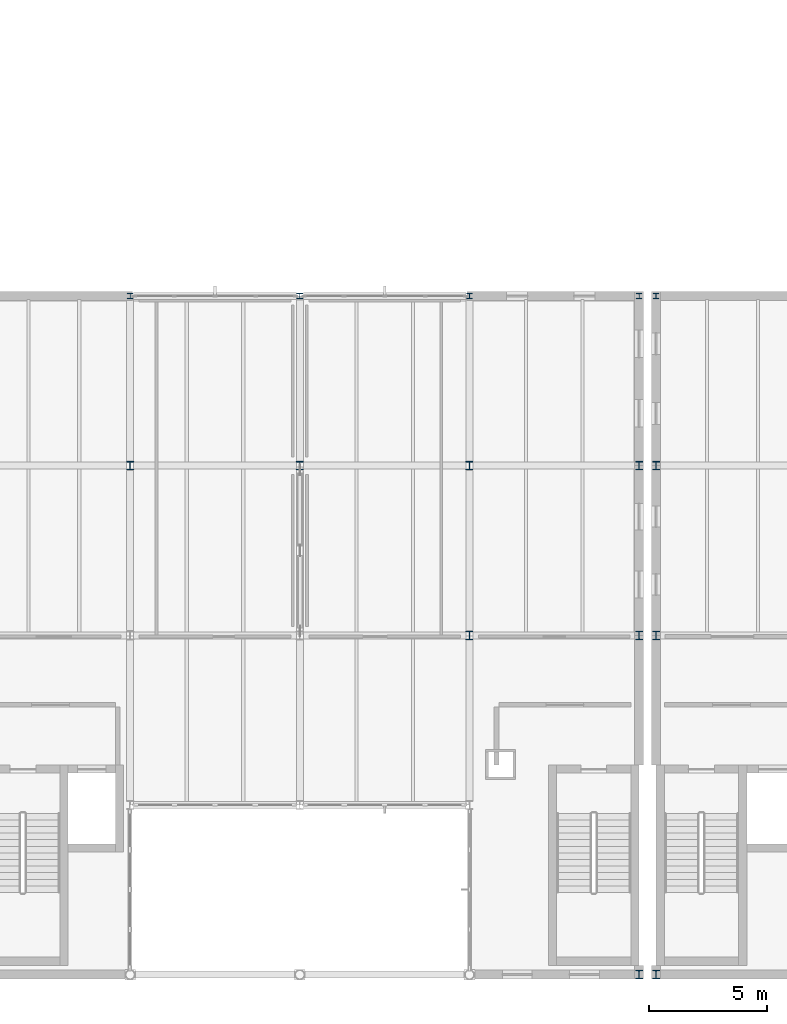
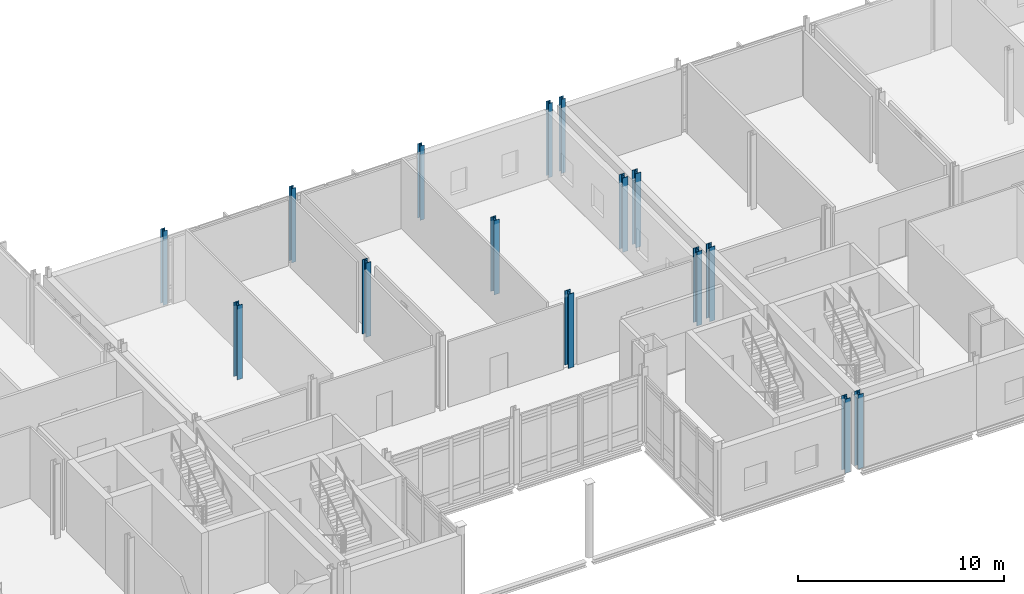
# One storey, part 3 of 72: 15 columns.
"""IFC4 building model written with IfcOpenShell, lengths in metres."""

import ifcopenshell
import ifcopenshell.guid

model = None  # the IFC model being written
_history = None  # IfcOwnerHistory: only IFC2X3 demands one
_inside = {}  # id of a spatial element -> (the spatial element, [elements in it])
_under = {}  # id of a project, library or spatial element -> (it, [spatial elements below it])
_declared = {}  # id of a project -> (the project, [libraries it declares])
_typed = {}  # id of a type object -> (the type object, [elements of that type])
_made_of = {}  # id of a material, layer set ... -> (it, [elements and type objects made of it])


def new_model(schema):
    """Start an empty IFC model of exactly this schema.

    Asked for "IFC4X3", IfcOpenShell would pick the latest addendum, in which some entities
    have other attributes; the version numbers below select the first issue.
    IFC2X3 requires an IfcOwnerHistory on every rooted entity: one is made here for all.
    """
    global model, _history
    if schema == "IFC4X3":
        model = ifcopenshell.file(schema_version=(4, 3, 0, 0))
    else:
        model = ifcopenshell.file(schema=schema)
    _inside.clear()
    _under.clear()
    _declared.clear()
    _typed.clear()
    _made_of.clear()
    _history = None
    if model.schema == "IFC2X3":
        org = make("IfcOrganization", Name="unknown")
        user = make(
            "IfcPersonAndOrganization",
            ThePerson=make("IfcPerson", FamilyName="unknown"),
            TheOrganization=org,
        )
        app = make(
            "IfcApplication",
            ApplicationDeveloper=org,
            Version="unknown",
            ApplicationFullName="unknown",
            ApplicationIdentifier="unknown",
        )
        _history = make(
            "IfcOwnerHistory",
            OwningUser=user,
            OwningApplication=app,
            ChangeAction="ADDED",
            CreationDate=0,
        )
    return model


def make(cls, **values):
    """One entity of the class cls with the attributes given. An attribute that is None is left unset."""
    return model.create_entity(
        cls, **{name: value for name, value in values.items() if value is not None}
    )


def rooted(cls, **values):
    """An entity with a GlobalId (a new one), such as an element, a storey or a relation."""
    return make(cls, GlobalId=ifcopenshell.guid.new(), OwnerHistory=_history, **values)


def si_unit(unit_type, name, prefix=None):
    """IfcSIUnit, for example si_unit("LENGTHUNIT", "METRE", prefix="MILLI")."""
    return make("IfcSIUnit", UnitType=unit_type, Prefix=prefix, Name=name)


def assignment(units):
    """IfcUnitAssignment: the units of a project."""
    return None if units is None else make("IfcUnitAssignment", Units=units)


def point(xyz):
    """IfcCartesianPoint."""
    return None if xyz is None else make("IfcCartesianPoint", Coordinates=xyz)


def direction(xyz):
    """IfcDirection."""
    return None if xyz is None else make("IfcDirection", DirectionRatios=xyz)


def frame(location, z_axis=None, x_axis=None):
    """IfcAxis2Placement3D, a coordinate frame: its origin and axes. An axis left out is left unset."""
    return make(
        "IfcAxis2Placement3D",
        Location=point(location),
        Axis=direction(z_axis),
        RefDirection=direction(x_axis),
    )


def frame_2d(location, x_axis=None):
    """IfcAxis2Placement2D, a coordinate frame in the plane: its origin and x axis."""
    return make(
        "IfcAxis2Placement2D", Location=point(location), RefDirection=direction(x_axis)
    )


def origin():
    """The frame at (0, 0, 0) with its axes left unset."""
    return frame((0.0, 0.0, 0.0))


def origin_2d():
    """The frame at (0, 0) in the plane with its x axis left unset."""
    return frame_2d((0.0, 0.0))


def place(relative_to, where):
    """IfcLocalPlacement: puts the frame where relative to a parent placement (None: the world)."""
    return make(
        "IfcLocalPlacement", PlacementRelTo=relative_to, RelativePlacement=where
    )


def context(
    kind, dimensions, precision=None, world=None, true_north=None, identifier=None
):
    """IfcGeometricRepresentationContext, for example the 3D "Model" context."""
    return make(
        "IfcGeometricRepresentationContext",
        ContextIdentifier=identifier,
        ContextType=kind,
        CoordinateSpaceDimension=dimensions,
        Precision=precision,
        WorldCoordinateSystem=world,
        TrueNorth=true_north,
    )


def subcontext(parent, identifier, kind, view, scale=None):
    """IfcGeometricRepresentationSubContext, for example "Body" below "Model"."""
    return make(
        "IfcGeometricRepresentationSubContext",
        ContextIdentifier=identifier,
        ContextType=kind,
        ParentContext=parent,
        TargetScale=scale,
        TargetView=view,
    )


def project(units=None, contexts=None):
    """IfcProject with its units and contexts."""
    return rooted(
        "IfcProject",
        Name="project",
        RepresentationContexts=contexts,
        UnitsInContext=assignment(units),
    )


def spatial(cls, under=None, at=None, **own):
    """A site, building, storey or space (cls), placed at a placement, below another one or the project."""
    s = rooted(cls, ObjectPlacement=at, **own)
    if under is not None:
        _under.setdefault(under.id(), (under, []))[1].append(s)
    return s


def profile(cls, at=None, kind="AREA", **sizes):
    """A parametric profile (cls). Its sizes go by their IFC names, for example OverallWidth=200.0."""
    return make(cls, ProfileType=kind, Position=at, **sizes)


def i_section(**sizes):
    """IfcIShapeProfileDef."""
    return profile("IfcIShapeProfileDef", **sizes)


def extrude(swept, where, along, depth):
    """IfcExtrudedAreaSolid: the profile swept, set in the frame where, extruded along a direction by depth."""
    return make(
        "IfcExtrudedAreaSolid",
        SweptArea=swept,
        Position=where,
        ExtrudedDirection=direction(along),
        Depth=depth,
    )


def shape(context_of_items, identifier, shape_type, items):
    """IfcShapeRepresentation: the items that make up one representation, for example the "Body"."""
    return make(
        "IfcShapeRepresentation",
        ContextOfItems=context_of_items,
        RepresentationIdentifier=identifier,
        RepresentationType=shape_type,
        Items=items,
    )


def material(Name=None, Category=None):
    """IfcMaterial."""
    return make("IfcMaterial", Name=Name, Category=Category)


def material_profile(
    of_material, cross_section, Name=None, Category=None, Priority=None
):
    """IfcMaterialProfile: a cross section and its material."""
    return make(
        "IfcMaterialProfile",
        Name=Name,
        Material=of_material,
        Profile=cross_section,
        Priority=Priority,
        Category=Category,
    )


def profile_set(profiles, Name=None, composite=None):
    """IfcMaterialProfileSet."""
    return make(
        "IfcMaterialProfileSet",
        Name=Name,
        MaterialProfiles=profiles,
        CompositeProfile=composite,
    )


def made_of(thing, what):
    """Note that an element or type object is made of a material, layer set ...; save() writes the relation."""
    if what is not None:
        _made_of.setdefault(what.id(), (what, []))[1].append(thing)
    return thing


def type_object(cls, material=None, **own):
    """A type object (cls), such as IfcWallType, which elements share."""
    return made_of(rooted(cls, **own), material)


def element(
    cls,
    number,
    at=None,
    inside=None,
    cuts=None,
    type_object=None,
    material=None,
    context=None,
    identifier="Body",
    shape_type=None,
    held_by="IfcProductDefinitionShape",
    body=None,
    shapes=None,
    **own,
):
    """One element of the class cls, such as IfcWall. Its Tag is "e" and its number.

    at: its placement. inside: the storey or other place that contains it. cuts: it is an
    opening in that element (IfcRelVoidsElement). A single representation is given by context,
    identifier, shape_type and body (its items); several are given by shapes. held_by: the class
    of the entity that holds the representations. save() writes the other relations.
    """
    e = rooted(cls, Tag="e%d" % number, ObjectPlacement=at, **own)
    if body is not None:
        shapes = [shape(context, identifier, shape_type, body)]
    if shapes is not None:
        e.Representation = make(held_by, Representations=shapes)
    if inside is not None:
        _inside.setdefault(inside.id(), (inside, []))[1].append(e)
    if cuts is not None:
        rooted(
            "IfcRelVoidsElement", RelatingBuildingElement=cuts, RelatedOpeningElement=e
        )
    if type_object is not None:
        _typed.setdefault(type_object.id(), (type_object, []))[1].append(e)
    return made_of(e, material)


def aggregate(whole, parts):
    """IfcRelAggregates: a whole, such as a stair, and the parts it consists of."""
    return rooted("IfcRelAggregates", RelatingObject=whole, RelatedObjects=parts)


def save(model, path):
    """Write the relations noted so far, then the file.

    IfcRelAggregates (storeys below a building ...), IfcRelContainedInSpatialStructure (elements
    in a storey), IfcRelDefinesByType, IfcRelAssociatesMaterial and IfcRelDeclares: one each for
    every whole, place, type object, material and project.
    """
    for whole, parts in _under.values():
        aggregate(whole, parts)
    for where, things in _inside.values():
        rooted(
            "IfcRelContainedInSpatialStructure",
            RelatedElements=things,
            RelatingStructure=where,
        )
    for kind, things in _typed.values():
        rooted("IfcRelDefinesByType", RelatedObjects=things, RelatingType=kind)
    for what, things in _made_of.values():
        rooted("IfcRelAssociatesMaterial", RelatedObjects=things, RelatingMaterial=what)
    for by, libraries in _declared.values():
        rooted("IfcRelDeclares", RelatingContext=by, RelatedDefinitions=libraries)
    model.write(path)


model = new_model("IFC4")

# Units and contexts
model_context = context("Model", 3, precision=1e-05, world=origin(), true_north=direction((0.0, 1.0)))
body_context = subcontext(model_context, "Body", "Model", "MODEL_VIEW")
ifc_project = project(units=[si_unit("LENGTHUNIT", "METRE"), si_unit("AREAUNIT", "SQUARE_METRE"), si_unit("VOLUMEUNIT", "CUBIC_METRE"), si_unit("PLANEANGLEUNIT", "RADIAN"), si_unit("MASSUNIT", "GRAM", prefix="KILO")], contexts=[model_context])

# Site, building, storey
site_placement = place(None, origin())
site = spatial("IfcSite", under=ifc_project, at=site_placement, CompositionType="ELEMENT")
building_placement = place(site_placement, origin())
building = spatial("IfcBuilding", under=site, at=building_placement, Name="Zarrinpeak Specialist Clinic", CompositionType="ELEMENT")
storey_placement = place(building_placement, frame((0.0, 0.0, 9.60009765625)))
storey = spatial("IfcBuildingStorey", under=building, at=storey_placement, Name="L02", CompositionType="ELEMENT", Elevation=9.60009765625)

# Columns
ifc_material = material(Name="Steel S355", Category="steel")
ifc_material_profile_1 = material_profile(ifc_material, i_section(OverallWidth=0.239990234375, OverallDepth=0.239990234375, WebThickness=0.010009765625, FlangeThickness=0.01708984375, FilletRadius=0.02099609375, at=origin_2d()), Name="HEB 240")
ifc_profile_set_1 = profile_set([ifc_material_profile_1], Name="Steel S355")
column_type_1 = type_object("IfcColumnType", Name="COL-HEB240", PredefinedType="COLUMN", material=ifc_profile_set_1)
for number, where, z_axis, x_axis, name in (
    (1, (36.0, 28.800048828125, 0.0), (0.0, 0.0, 1.0), (1.0, 0.0, 0.0), "L02 Structural Column COL-L02-073"),
    (2, (43.199951171875, 28.800048828125, 0.0), (0.0, 0.0, 1.0), (1.0, 0.0, 0.0), "L02 Structural Column COL-L02-083"),
    (3, (50.39990234375, 28.800048828125, 0.0), (0.0, 0.0, 1.0), (1.0, 0.0, 0.0), "L02 Structural Column COL-L02-094"),
    (4, (57.60009765625, 28.800048828125, 0.0), (0.0, 0.0, 1.0), (1.0, 0.0, 0.0), "L02 Structural Column COL-L02-104"),
    (5, (58.320068359375, 28.800048828125, 0.0), (0.0, 0.0, 1.0), (1.0, 0.0, 0.0), "L02 Structural Column COL-L02-114"),
):
    element("IfcColumn", number, at=place(storey_placement, frame(where, z_axis=z_axis, x_axis=x_axis)), inside=storey, type_object=column_type_1, Name=name, PredefinedType="COLUMN", context=body_context, shape_type="SweptSolid", body=[
        extrude(i_section(OverallWidth=0.239990234375, OverallDepth=0.239990234375, WebThickness=0.010009765625, FlangeThickness=0.01708984375, FilletRadius=0.02099609375, at=origin_2d()), origin(), (0.0, 0.0, 1.0), 4.39990234375),
    ])
ifc_material_profile_2 = material_profile(ifc_material, i_section(OverallWidth=0.300048828125, OverallDepth=0.360107421875, WebThickness=0.012451171875, FlangeThickness=0.0224609375, FilletRadius=0.027099609375, at=origin_2d()), Name="HEB 360")
ifc_profile_set_2 = profile_set([ifc_material_profile_2], Name="Steel S355")
column_type_2 = type_object("IfcColumnType", Name="COL-HEB360", PredefinedType="COLUMN", material=ifc_profile_set_2)
for number, where, z_axis, x_axis, name in (
    (6, (36.0, 21.60009765625, 0.0), (0.0, 0.0, 1.0), (1.0, 0.0, 0.0), "L02 Structural Column COL-L02-072"),
    (7, (43.199951171875, 21.60009765625, 0.0), (0.0, 0.0, 1.0), (1.0, 0.0, 0.0), "L02 Structural Column COL-L02-082"),
    (8, (50.39990234375, 14.39990234375, 0.0), (0.0, 0.0, 1.0), (1.0, 0.0, 0.0), "L02 Structural Column COL-L02-092"),
    (9, (50.39990234375, 21.60009765625, 0.0), (0.0, 0.0, 1.0), (1.0, 0.0, 0.0), "L02 Structural Column COL-L02-093"),
    (10, (57.60009765625, 0.0, 0.0), (0.0, 0.0, 1.0), (1.0, 0.0, 0.0), "L02 Structural Column COL-L02-101"),
    (11, (57.60009765625, 14.39990234375, 0.0), (0.0, 0.0, 1.0), (1.0, 0.0, 0.0), "L02 Structural Column COL-L02-102"),
    (12, (57.60009765625, 21.60009765625, 0.0), (0.0, 0.0, 1.0), (1.0, 0.0, 0.0), "L02 Structural Column COL-L02-103"),
    (13, (58.320068359375, 0.0, 0.0), (0.0, 0.0, 1.0), (1.0, 0.0, 0.0), "L02 Structural Column COL-L02-111"),
    (14, (58.320068359375, 14.39990234375, 0.0), (0.0, 0.0, 1.0), (1.0, 0.0, 0.0), "L02 Structural Column COL-L02-112"),
    (15, (58.320068359375, 21.60009765625, 0.0), (0.0, 0.0, 1.0), (1.0, 0.0, 0.0), "L02 Structural Column COL-L02-113"),
):
    element("IfcColumn", number, at=place(storey_placement, frame(where, z_axis=z_axis, x_axis=x_axis)), inside=storey, type_object=column_type_2, Name=name, PredefinedType="COLUMN", context=body_context, shape_type="SweptSolid", body=[
        extrude(i_section(OverallWidth=0.300048828125, OverallDepth=0.360107421875, WebThickness=0.012451171875, FlangeThickness=0.0224609375, FilletRadius=0.027099609375, at=origin_2d()), origin(), (0.0, 0.0, 1.0), 4.39990234375),
    ])

save(model, "model.ifc")
